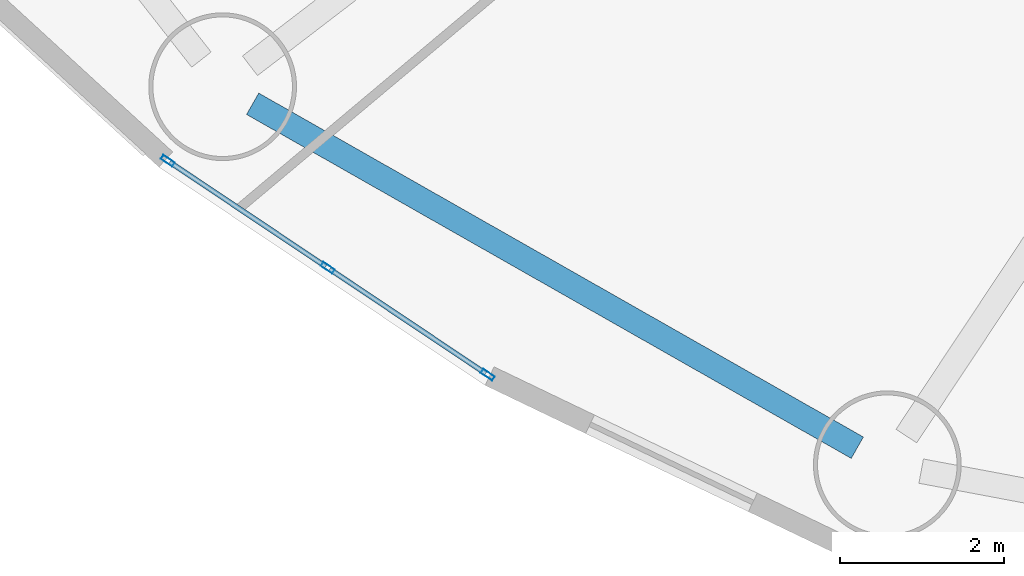
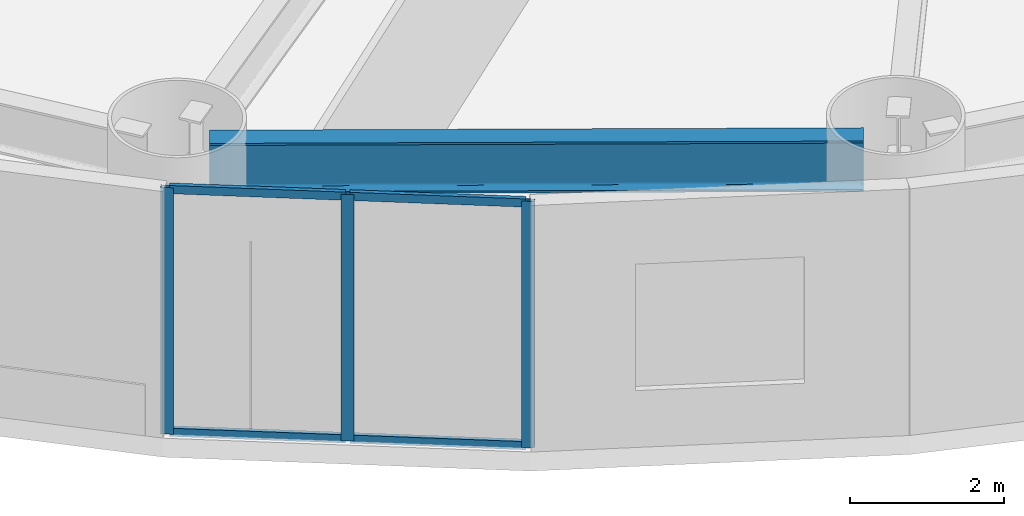
# One storey, part 4 of 27: 7 members, 1 beam, 1 element without a shape of its own.
"""IFC4 building model written with IfcOpenShell, lengths in metres."""

from ifc_helpers import new_model, si_unit, direction, frame, origin, origin_2d, place, context, subcontext, project, spatial, hollow_rectangle, i_section, extrude, source, transform, mapped, material, layer, layer_set, material_profile, profile_set, type_object, element, aggregate, save


model = new_model("IFC4")

# Units and contexts
model_context = context("Model", 3, precision=1e-05, world=origin(), true_north=direction((0.0, 1.0)))
body_context = subcontext(model_context, "Body", "Model", "MODEL_VIEW")
ifc_project = project(units=[si_unit("LENGTHUNIT", "METRE"), si_unit("AREAUNIT", "SQUARE_METRE"), si_unit("VOLUMEUNIT", "CUBIC_METRE"), si_unit("PLANEANGLEUNIT", "RADIAN"), si_unit("MASSUNIT", "GRAM", prefix="KILO")], contexts=[model_context])

# Site, building, storey
site_placement = place(None, origin())
site = spatial("IfcSite", under=ifc_project, at=site_placement, CompositionType="ELEMENT")
building_placement = place(site_placement, origin())
building = spatial("IfcBuilding", under=site, at=building_placement, Name="Linh Dai School and Residence Tower", CompositionType="ELEMENT")
storey_placement = place(building_placement, frame((0.0, 0.0, 14.39990234375)))
storey = spatial("IfcBuildingStorey", under=building, at=storey_placement, Name="L03", CompositionType="ELEMENT", Elevation=14.39990234375)

# Beam
ifc_material_1 = material(Name="Structural Steel S355JR", Category="steel")
ifc_material_profile_1 = material_profile(ifc_material_1, i_section(OverallWidth=0.300048828125, OverallDepth=0.800048828125, WebThickness=0.017578125, FlangeThickness=0.032958984375, FilletRadius=0.030029296875, at=origin_2d()), Name="HEB 800")
ifc_profile_set_1 = profile_set([ifc_material_profile_1], Name="Structural Steel S355JR")
beam_type = type_object("IfcBeamType", Name="BM-RG8", PredefinedType="BEAM", material=ifc_profile_set_1)
beam_placement = place(storey_placement, frame((13.659912109375, 9.3916015625, 3.5), z_axis=(0.869246663758, -0.494378637833, 0.0), x_axis=(0.494378637833, 0.869246663758, 0.0)))
element("IfcBeam", 1, at=beam_placement, inside=storey, type_object=beam_type, Name="L03 Perimeter Elliptical Ring Beam 11", PredefinedType="BEAM", context=body_context, shape_type="SweptSolid", body=[
    extrude(i_section(OverallWidth=0.300048828125, OverallDepth=0.800048828125, WebThickness=0.017578125, FlangeThickness=0.032958984375, FilletRadius=0.030029296875, at=origin_2d()), origin(), (0.0, 0.0, 1.0), 8.4736328125),
])

# Curtain wall, members
ifc_material_2 = material(Name="Aluminium Anodised Curtain Wall", Category="aluminium")
ifc_layer = layer(ifc_material_2, 0.169921875)
ifc_layer_set = layer_set([ifc_layer], Name="Aluminium Anodised Curtain Wall")
curtain_wall_type = type_object("IfcCurtainWallType", Name="CW-SYS-2", PredefinedType="USERDEFINED", material=ifc_layer_set)
curtain_wall_placement = place(storey_placement, origin())
curtain_wall = element("IfcCurtainWall", 2, at=curtain_wall_placement, inside=storey, type_object=curtain_wall_type, Name="L03 CW2 Curtain Wall 26", ObjectType="UNITISED CURTAIN WALL", PredefinedType="USERDEFINED")
ifc_material_3 = material(Name="Aluminium Alloy 6063-T6", Category="aluminium")
ifc_material_profile_2 = material_profile(ifc_material_3, hollow_rectangle(XDim=0.06005859375, YDim=0.1298828125, WallThickness=0.00390625, at=origin_2d()), Name="RHS 130x60x4")
ifc_profile_set_2 = profile_set([ifc_material_profile_2], Name="Aluminium Alloy 6063-T6")
member_type_1 = type_object("IfcMemberType", Name="CW-SYS-2-TRN", PredefinedType="USERDEFINED", material=ifc_profile_set_2)
shared_shape_1 = source(origin(), body_context, "Body", "SweptSolid", [
    extrude(hollow_rectangle(XDim=0.06005859375, YDim=0.1298828125, WallThickness=0.00390625, at=origin_2d()), origin(), (0.0, 0.0, 1.0), 2.28369140625),
])
member_1_placement = place(storey_placement, frame((16.49755859375, 6.107666015625, 0.030029296875), z_axis=(-0.831260031008, 0.555883765592, 0.0), x_axis=(-0.555883765592, -0.831260031008, 0.0)))
member_1 = element("IfcMember", 3, at=member_1_placement, type_object=member_type_1, Name="CW2 transom 1.1", ObjectType="TRANSOM", PredefinedType="USERDEFINED", context=body_context, shape_type="MappedRepresentation", body=[
    mapped(shared_shape_1, transform((0.0, 0.0, 0.0), x_axis=(1.0, 0.0, 0.0), y_axis=(0.0, 1.0, 0.0), z_axis=(0.0, 0.0, 1.0), scale=1.0)),
])
member_2_placement = place(storey_placement, frame((16.49755859375, 6.107666015625, 3.8701171875), z_axis=(-0.831260031008, 0.555883765592, 0.0), x_axis=(-0.555883765592, -0.831260031008, 0.0)))
member_2 = element("IfcMember", 4, at=member_2_placement, type_object=member_type_1, Name="CW2 transom 1.2", ObjectType="TRANSOM", PredefinedType="USERDEFINED", context=body_context, shape_type="MappedRepresentation", body=[
    mapped(shared_shape_1, transform((0.0, 0.0, 0.0), x_axis=(1.0, 0.0, 0.0), y_axis=(0.0, 1.0, 0.0), z_axis=(0.0, 0.0, 1.0), scale=1.0)),
])
member_3_placement = place(storey_placement, frame((14.54931640625, 7.41064453125, 0.030029296875), z_axis=(-0.831260031008, 0.555883765592, 0.0), x_axis=(-0.555883765592, -0.831260031008, 0.0)))
member_3 = element("IfcMember", 5, at=member_3_placement, type_object=member_type_1, Name="CW2 transom 2.1", ObjectType="TRANSOM", PredefinedType="USERDEFINED", context=body_context, shape_type="MappedRepresentation", body=[
    mapped(shared_shape_1, transform((0.0, 0.0, 0.0), x_axis=(1.0, 0.0, 0.0), y_axis=(0.0, 1.0, 0.0), z_axis=(0.0, 0.0, 1.0), scale=1.0)),
])
member_4_placement = place(storey_placement, frame((14.54931640625, 7.41064453125, 3.8701171875), z_axis=(-0.831260031008, 0.555883765592, 0.0), x_axis=(-0.555883765592, -0.831260031008, 0.0)))
member_4 = element("IfcMember", 6, at=member_4_placement, type_object=member_type_1, Name="CW2 transom 2.2", ObjectType="TRANSOM", PredefinedType="USERDEFINED", context=body_context, shape_type="MappedRepresentation", body=[
    mapped(shared_shape_1, transform((0.0, 0.0, 0.0), x_axis=(1.0, 0.0, 0.0), y_axis=(0.0, 1.0, 0.0), z_axis=(0.0, 0.0, 1.0), scale=1.0)),
])
ifc_material_profile_3 = material_profile(ifc_material_3, hollow_rectangle(XDim=0.06005859375, YDim=0.169921875, WallThickness=0.00390625, at=origin_2d()), Name="RHS 170x60x4")
ifc_profile_set_3 = profile_set([ifc_material_profile_3], Name="Aluminium Alloy 6063-T6")
member_type_2 = type_object("IfcMemberType", Name="CW-SYS-2-MUL", PredefinedType="MULLION", material=ifc_profile_set_3)
shared_shape_2 = source(origin(), body_context, "Body", "SweptSolid", [
    extrude(hollow_rectangle(XDim=0.06005859375, YDim=0.169921875, WallThickness=0.00390625, at=origin_2d()), origin(), (0.0, 0.0, 1.0), 3.900146484375),
])
member_5_placement = place(storey_placement, frame((16.5224609375, 6.0908203125, 0.0), z_axis=(0.0, 0.0, 1.0), x_axis=(-0.555956563843, -0.831211344437, 0.0)))
member_5 = element("IfcMember", 7, at=member_5_placement, type_object=member_type_2, Name="CW2 mullion 1", PredefinedType="MULLION", context=body_context, shape_type="MappedRepresentation", body=[
    mapped(shared_shape_2, transform((0.0, 0.0, 0.0), x_axis=(1.0, 0.0, 0.0), y_axis=(0.0, 1.0, 0.0), z_axis=(0.0, 0.0, 1.0), scale=1.0)),
])
member_6_placement = place(storey_placement, frame((14.57421875, 7.393798828125, 0.0), z_axis=(0.0, 0.0, 1.0), x_axis=(-0.555956563843, -0.831211344437, 0.0)))
member_6 = element("IfcMember", 8, at=member_6_placement, type_object=member_type_2, Name="CW2 mullion 2", PredefinedType="MULLION", context=body_context, shape_type="MappedRepresentation", body=[
    mapped(shared_shape_2, transform((0.0, 0.0, 0.0), x_axis=(1.0, 0.0, 0.0), y_axis=(0.0, 1.0, 0.0), z_axis=(0.0, 0.0, 1.0), scale=1.0)),
])
member_7_placement = place(storey_placement, frame((12.6259765625, 8.697021484375, 0.0), z_axis=(0.0, 0.0, 1.0), x_axis=(-0.555956563843, -0.831211344437, 0.0)))
member_7 = element("IfcMember", 9, at=member_7_placement, type_object=member_type_2, Name="CW2 mullion 3", PredefinedType="MULLION", context=body_context, shape_type="MappedRepresentation", body=[
    mapped(shared_shape_2, transform((0.0, 0.0, 0.0), x_axis=(1.0, 0.0, 0.0), y_axis=(0.0, 1.0, 0.0), z_axis=(0.0, 0.0, 1.0), scale=1.0)),
])
aggregate(curtain_wall, [member_5, member_6, member_7, member_1, member_2, member_3, member_4])

save(model, "model.ifc")
